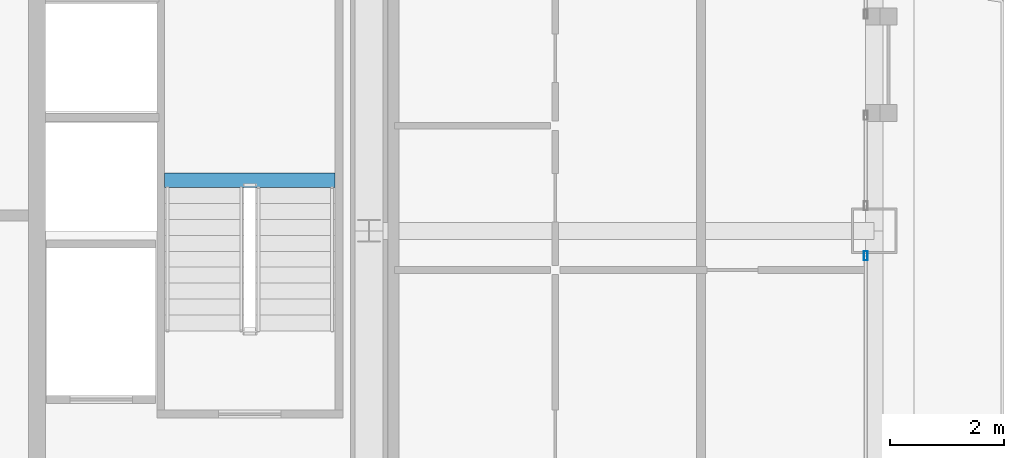
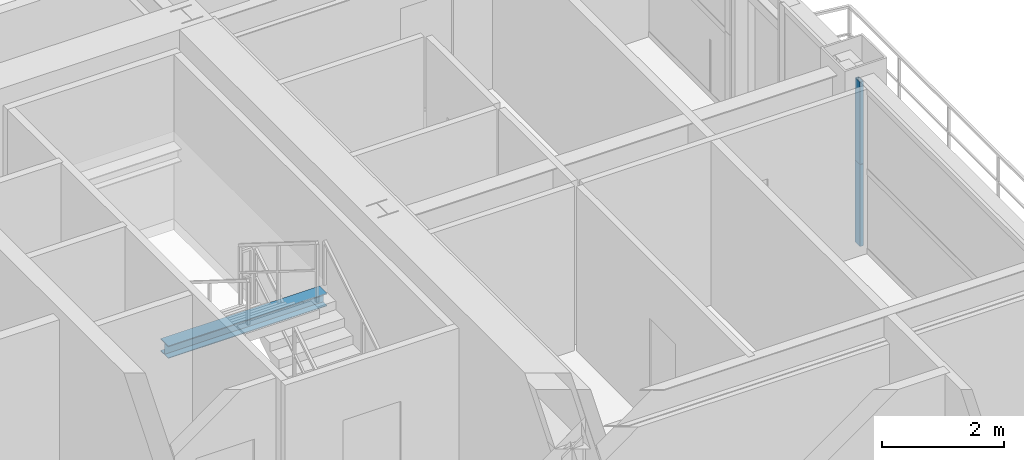
# One storey, part 26 of 45: 2 members, 1 beam, 1 element without a shape of its own.
"""IFC4 building model written with IfcOpenShell, lengths in metres."""

from ifc_helpers import new_model, si_unit, direction, frame, origin, origin_2d, place, context, subcontext, project, spatial, hollow_rectangle, i_section, extrude, source, transform, mapped, material, layer, layer_set, material_profile, profile_set, type_object, element, aggregate, save


model = new_model("IFC4")

# Units and contexts
model_context = context("Model", 3, precision=1e-05, world=origin(), true_north=direction((0.0, 1.0)))
body_context = subcontext(model_context, "Body", "Model", "MODEL_VIEW")
ifc_project = project(units=[si_unit("LENGTHUNIT", "METRE"), si_unit("AREAUNIT", "SQUARE_METRE"), si_unit("VOLUMEUNIT", "CUBIC_METRE"), si_unit("PLANEANGLEUNIT", "RADIAN"), si_unit("MASSUNIT", "GRAM", prefix="KILO"), si_unit("THERMODYNAMICTEMPERATUREUNIT", "KELVIN"), si_unit("POWERUNIT", "WATT")], contexts=[model_context])

# Site, building, storey
site_placement = place(None, origin())
site = spatial("IfcSite", under=ifc_project, at=site_placement, CompositionType="ELEMENT")
building_placement = place(site_placement, origin())
building = spatial("IfcBuilding", under=site, at=building_placement, Name="Yuzanri Waterfront Tower", CompositionType="ELEMENT")
storey_placement = place(building_placement, frame((0.0, 0.0, 191.5)))
storey = spatial("IfcBuildingStorey", under=building, at=storey_placement, Name="L50", CompositionType="ELEMENT", Elevation=191.5)

# Curtain wall, members
ifc_material_1 = material(Name="Anodized Architectural Bronze", Category="metal")
ifc_layer = layer(ifc_material_1, 0.159912109375)
ifc_layer_set = layer_set([ifc_layer], Name="Anodized Architectural Bronze")
curtain_wall_type = type_object("IfcCurtainWallType", Name="Anodized Bronze Mid-Rise Residential Acoustic Unitized Curtain Wall 7200", PredefinedType="NOTDEFINED", material=ifc_layer_set)
curtain_wall_placement = place(storey_placement, origin())
curtain_wall = element("IfcCurtainWall", 1, at=curtain_wall_placement, inside=storey, type_object=curtain_wall_type, Name="L50 Curtain Wall CW-L50-EL", PredefinedType="NOTDEFINED")
ifc_material_2 = material(Name="Anodized Architectural Bronze", Category="metal")
ifc_material_profile_1 = material_profile(ifc_material_2, hollow_rectangle(XDim=0.06494140625, YDim=0.159912109375, WallThickness=0.00341796875, at=origin_2d()), Name="CWM 65x160")
ifc_profile_set_1 = profile_set([ifc_material_profile_1], Name="Anodized Architectural Bronze")
member_type = type_object("IfcMemberType", Name="Anodized Bronze Upper-Zone Curtain-Wall Mullion 65x160", PredefinedType="MULLION", material=ifc_profile_set_1)
shared_shape_1 = source(origin(), body_context, "Body", "SweptSolid", [
    extrude(hollow_rectangle(XDim=0.06494140625, YDim=0.159912109375, WallThickness=0.00341796875, at=origin_2d()), origin(), (0.0, 0.0, 1.0), 1.637939453125),
])
member_1_placement = place(storey_placement, frame((58.949951171875, 25.360107421875, 0.0), z_axis=(0.0, 0.0, 1.0), x_axis=(1.0, 0.0, 0.0)))
member_1 = element("IfcMember", 2, at=member_1_placement, type_object=member_type, Name="CW-L50-EL Lower Mullion 02", PredefinedType="MULLION", context=body_context, shape_type="MappedRepresentation", body=[
    mapped(shared_shape_1, transform((0.0, 0.0, 0.0), scale=1.0)),
])
member_2_placement = place(storey_placement, frame((58.949951171875, 25.360107421875, 1.64208984375), z_axis=(0.0, 0.0, 1.0), x_axis=(1.0, 0.0, 0.0)))
member_2 = element("IfcMember", 3, at=member_2_placement, type_object=member_type, Name="CW-L50-EL Upper Mullion 02", PredefinedType="MULLION", context=body_context, shape_type="MappedRepresentation", body=[
    mapped(shared_shape_1, transform((0.0, 0.0, 0.0), scale=1.0)),
])
aggregate(curtain_wall, [member_1, member_2])

# Beam
ifc_material_3 = material(Name="Steel Q355B", Category="steel")
ifc_material_profile_2 = material_profile(ifc_material_3, i_section(OverallWidth=0.25, OverallDepth=0.25, WebThickness=0.009033203125, FlangeThickness=0.013916015625, at=origin_2d()), Name="HW 250x250x9x14")
ifc_profile_set_2 = profile_set([ifc_material_profile_2], Name="Steel Q355B")
beam_type = type_object("IfcBeamType", Name="Stair Landing Support Beam Q355B HW 250x250", PredefinedType="BEAM", material=ifc_profile_set_2)
shared_shape_2 = source(origin(), body_context, "Body", "SweptSolid", [
    extrude(i_section(OverallWidth=0.25, OverallDepth=0.25, WebThickness=0.009033203125, FlangeThickness=0.013916015625, at=origin_2d()), origin(), (0.0, 0.0, 1.0), 3.0),
])
beam_placement = place(storey_placement, frame((46.60009765625, 26.68994140625, 1.425048828125), z_axis=(1.0, 0.0, 0.0), x_axis=(0.0, 1.0, 0.0)))
element("IfcBeam", 4, at=beam_placement, inside=storey, type_object=beam_type, Name="L50 Stair Landing Support Beam ST-02-L50-L1-1", PredefinedType="BEAM", context=body_context, shape_type="MappedRepresentation", body=[
    mapped(shared_shape_2, transform((0.0, 0.0, 0.0), scale=1.0)),
])

save(model, "model.ifc")
